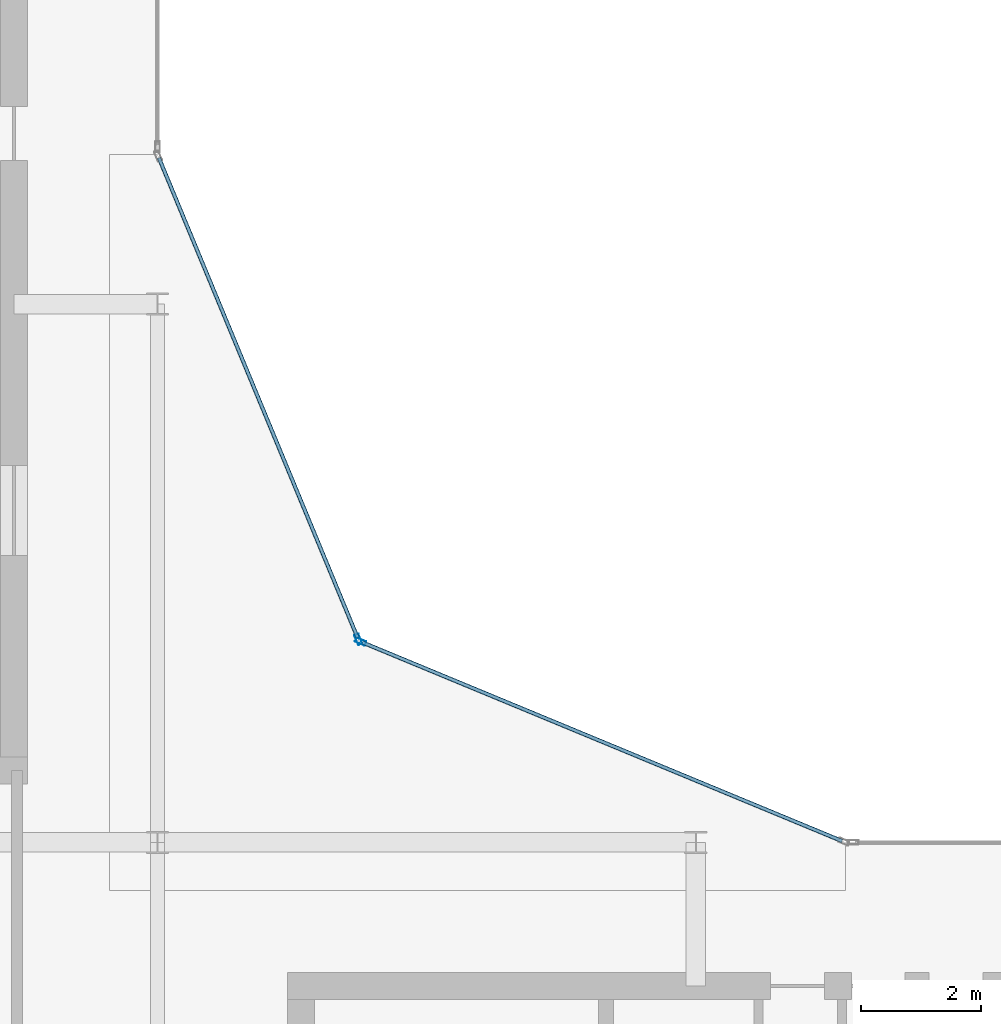
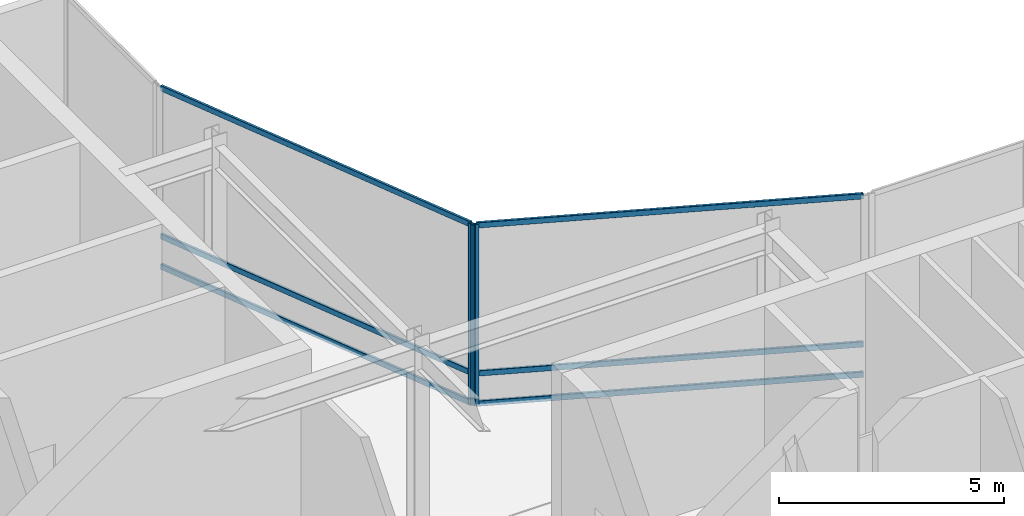
# One storey, part 10 of 19: 8 members, 2 elements without a shape of their own.
"""IFC4 building model written with IfcOpenShell, lengths in metres."""

from ifc_helpers import new_model, si_unit, direction, frame, origin, origin_2d, place, context, subcontext, project, spatial, hollow_rectangle, extrude, material, layer, layer_set, material_profile, profile_set, type_object, element, aggregate, save


model = new_model("IFC4")

# Units and contexts
model_context = context("Model", 3, precision=1e-05, world=origin(), true_north=direction((0.0, 1.0)))
body_context = subcontext(model_context, "Body", "Model", "MODEL_VIEW")
ifc_project = project(units=[si_unit("LENGTHUNIT", "METRE"), si_unit("AREAUNIT", "SQUARE_METRE"), si_unit("VOLUMEUNIT", "CUBIC_METRE"), si_unit("PLANEANGLEUNIT", "RADIAN"), si_unit("MASSUNIT", "GRAM", prefix="KILO")], contexts=[model_context])

# Site, building, storey
site_placement = place(None, origin())
site = spatial("IfcSite", under=ifc_project, at=site_placement, CompositionType="ELEMENT")
building_placement = place(site_placement, origin())
building = spatial("IfcBuilding", under=site, at=building_placement, Name="Solvaryn Broadcast Tower", CompositionType="ELEMENT")
storey_placement = place(building_placement, frame((0.0, 0.0, 302.60009765625)))
storey = spatial("IfcBuildingStorey", under=building, at=storey_placement, Name="L76", CompositionType="ELEMENT", Elevation=302.60009765625)

# Curtain wall, member
ifc_material_1 = material(Name="Aluminium and Terracotta Unitised Curtain Wall", Category="masonry")
ifc_layer = layer(ifc_material_1, 0.260009765625)
ifc_layer_set = layer_set([ifc_layer], Name="CW-SYS5-DAMPER")
curtain_wall_type = type_object("IfcCurtainWallType", Name="CW-SYS5-DAMPER", PredefinedType="NOTDEFINED", material=ifc_layer_set)
curtain_wall_1_placement = place(storey_placement, origin())
curtain_wall_1 = element("IfcCurtainWall", 1, at=curtain_wall_1_placement, inside=storey, type_object=curtain_wall_type, Name="L76 Curtain Wall CN1", PredefinedType="NOTDEFINED")
ifc_material_2 = material(Name="Anodised Aluminium 6063-T6", Category="aluminium")
ifc_material_profile_1 = material_profile(ifc_material_2, hollow_rectangle(XDim=0.074951171875, YDim=0.179931640625, WallThickness=0.00390625, InnerFilletRadius=0.00390625, OuterFilletRadius=0.008056640625, at=origin_2d()))
ifc_profile_set_1 = profile_set([ifc_material_profile_1], Name="Anodised Aluminium 6063-T6")
member_type_1 = type_object("IfcMemberType", Name="CW-MUL-180", PredefinedType="MULLION", material=ifc_profile_set_1)
member_1_placement = place(storey_placement, frame((30.395751953125, 30.3564453125, 0.0), z_axis=(0.0, 0.0, 1.0), x_axis=(-0.382646127145, -0.923894983957, 0.0)))
member_1 = element("IfcMember", 2, at=member_1_placement, type_object=member_type_1, Name="CWS5 mullion 2", PredefinedType="MULLION", context=body_context, shape_type="SweptSolid", body=[
    extrude(hollow_rectangle(XDim=0.074951171875, YDim=0.179931640625, WallThickness=0.00390625, InnerFilletRadius=0.00390625, OuterFilletRadius=0.008056640625, at=origin_2d()), origin(), (0.0, 0.0, 1.0), 4.89990234375),
])

curtain_wall_2_placement = place(storey_placement, origin())
curtain_wall_2 = element("IfcCurtainWall", 3, at=curtain_wall_2_placement, inside=storey, type_object=curtain_wall_type, Name="L76 Curtain Wall CN2", PredefinedType="NOTDEFINED")
member_2_placement = place(storey_placement, frame((30.3564453125, 30.395751953125, 0.0), z_axis=(0.0, 0.0, 1.0), x_axis=(-0.923894983957, -0.382646127145, 0.0)))
member_2 = element("IfcMember", 4, at=member_2_placement, type_object=member_type_1, Name="CWS5 mullion 1", PredefinedType="MULLION", context=body_context, shape_type="SweptSolid", body=[
    extrude(hollow_rectangle(XDim=0.074951171875, YDim=0.179931640625, WallThickness=0.00390625, InnerFilletRadius=0.00390625, OuterFilletRadius=0.008056640625, at=origin_2d()), origin(), (0.0, 0.0, 1.0), 4.89990234375),
])

# Member
ifc_material_3 = material(Name="Anodised Aluminium 6063-T6", Category="aluminium")
ifc_material_profile_2 = material_profile(ifc_material_3, hollow_rectangle(XDim=0.06494140625, YDim=0.14990234375, WallThickness=0.00390625, InnerFilletRadius=0.00390625, OuterFilletRadius=0.008056640625, at=origin_2d()))
ifc_profile_set_2 = profile_set([ifc_material_profile_2], Name="Anodised Aluminium 6063-T6")
member_type_2 = type_object("IfcMemberType", Name="CW-TRN-150", PredefinedType="USERDEFINED", material=ifc_profile_set_2)
member_3_placement = place(storey_placement, frame((38.444580078125, 27.02294921875, 0.02978515625), z_axis=(-0.923899282177, 0.382635748975, 0.0), x_axis=(-0.382635748975, -0.923899282177, 0.0)))
member_3 = element("IfcMember", 5, at=member_3_placement, type_object=member_type_2, Name="CWS5 transom 1.1", ObjectType="TRANSOM", PredefinedType="USERDEFINED", context=body_context, shape_type="SweptSolid", body=[
    extrude(hollow_rectangle(XDim=0.06494140625, YDim=0.14990234375, WallThickness=0.00390625, InnerFilletRadius=0.00390625, OuterFilletRadius=0.008056640625, at=origin_2d()), origin(), (0.0, 0.0, 1.0), 8.681884765625),
])

member_4_placement = place(storey_placement, frame((38.444580078125, 27.02294921875, 0.849853515625), z_axis=(-0.923899282177, 0.382635748975, 0.0), x_axis=(-0.382635748975, -0.923899282177, 0.0)))
member_4 = element("IfcMember", 6, at=member_4_placement, type_object=member_type_2, Name="CWS5 transom 1.2", ObjectType="TRANSOM", PredefinedType="USERDEFINED", context=body_context, shape_type="SweptSolid", body=[
    extrude(hollow_rectangle(XDim=0.06494140625, YDim=0.14990234375, WallThickness=0.00390625, InnerFilletRadius=0.00390625, OuterFilletRadius=0.008056640625, at=origin_2d()), origin(), (0.0, 0.0, 1.0), 8.681884765625),
])

member_5_placement = place(storey_placement, frame((38.444580078125, 27.02294921875, 4.869873046875), z_axis=(-0.923899282177, 0.382635748975, 0.0), x_axis=(-0.382635748975, -0.923899282177, 0.0)))
member_5 = element("IfcMember", 7, at=member_5_placement, type_object=member_type_2, Name="CWS5 transom 1.3", ObjectType="TRANSOM", PredefinedType="USERDEFINED", context=body_context, shape_type="SweptSolid", body=[
    extrude(hollow_rectangle(XDim=0.06494140625, YDim=0.14990234375, WallThickness=0.00390625, InnerFilletRadius=0.00390625, OuterFilletRadius=0.008056640625, at=origin_2d()), origin(), (0.0, 0.0, 1.0), 8.681884765625),
])

aggregate(curtain_wall_1, [member_1, member_3, member_4, member_5])

member_6_placement = place(storey_placement, frame((30.344970703125, 30.42333984375, 0.02978515625), z_axis=(-0.382635748975, 0.923899282177, 0.0), x_axis=(-0.923899282177, -0.382635748975, 0.0)))
member_6 = element("IfcMember", 8, at=member_6_placement, type_object=member_type_2, Name="CWS5 transom 1.1", ObjectType="TRANSOM", PredefinedType="USERDEFINED", context=body_context, shape_type="SweptSolid", body=[
    extrude(hollow_rectangle(XDim=0.06494140625, YDim=0.14990234375, WallThickness=0.00390625, InnerFilletRadius=0.00390625, OuterFilletRadius=0.008056640625, at=origin_2d()), origin(), (0.0, 0.0, 1.0), 8.681884765625),
])

member_7_placement = place(storey_placement, frame((30.344970703125, 30.42333984375, 0.849853515625), z_axis=(-0.382635748975, 0.923899282177, 0.0), x_axis=(-0.923899282177, -0.382635748975, 0.0)))
member_7 = element("IfcMember", 9, at=member_7_placement, type_object=member_type_2, Name="CWS5 transom 1.2", ObjectType="TRANSOM", PredefinedType="USERDEFINED", context=body_context, shape_type="SweptSolid", body=[
    extrude(hollow_rectangle(XDim=0.06494140625, YDim=0.14990234375, WallThickness=0.00390625, InnerFilletRadius=0.00390625, OuterFilletRadius=0.008056640625, at=origin_2d()), origin(), (0.0, 0.0, 1.0), 8.681884765625),
])

member_8_placement = place(storey_placement, frame((30.344970703125, 30.42333984375, 4.869873046875), z_axis=(-0.382635748975, 0.923899282177, 0.0), x_axis=(-0.923899282177, -0.382635748975, 0.0)))
member_8 = element("IfcMember", 10, at=member_8_placement, type_object=member_type_2, Name="CWS5 transom 1.3", ObjectType="TRANSOM", PredefinedType="USERDEFINED", context=body_context, shape_type="SweptSolid", body=[
    extrude(hollow_rectangle(XDim=0.06494140625, YDim=0.14990234375, WallThickness=0.00390625, InnerFilletRadius=0.00390625, OuterFilletRadius=0.008056640625, at=origin_2d()), origin(), (0.0, 0.0, 1.0), 8.681884765625),
])

aggregate(curtain_wall_2, [member_2, member_6, member_7, member_8])

save(model, "model.ifc")
